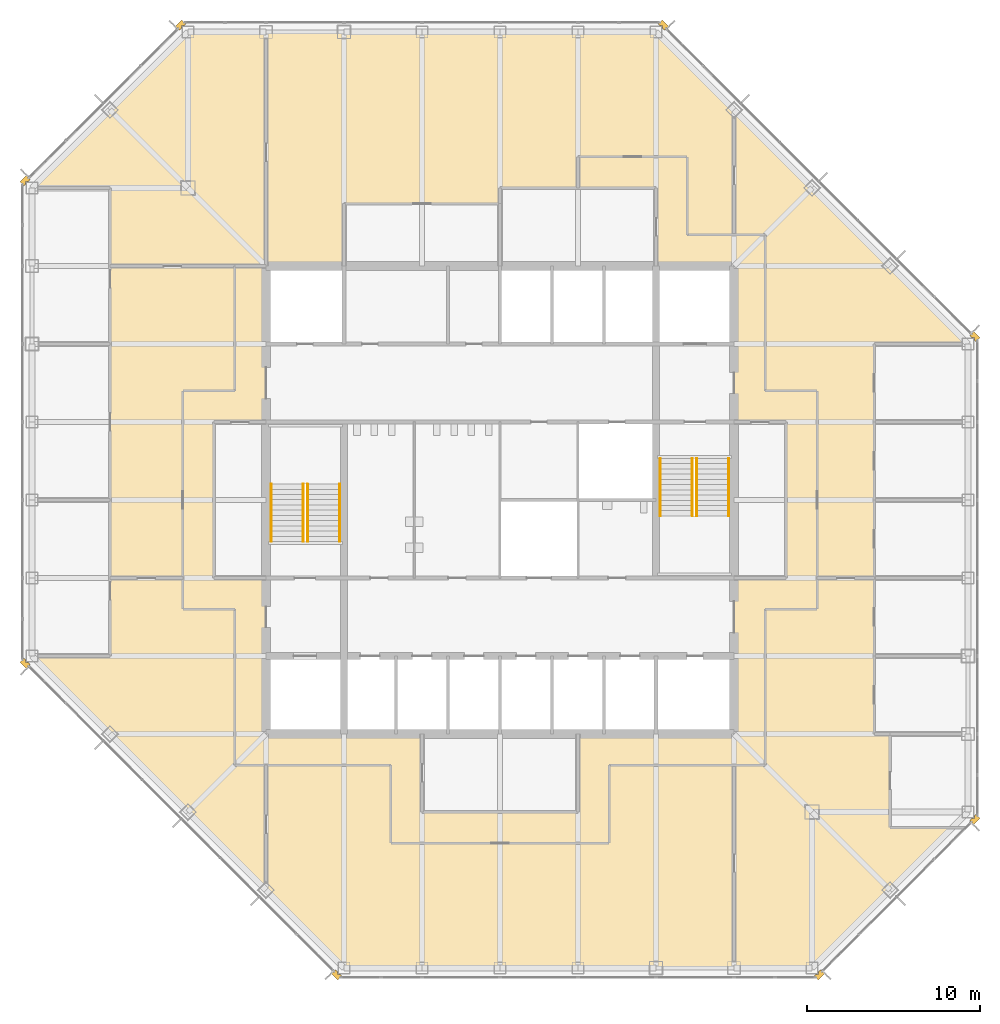
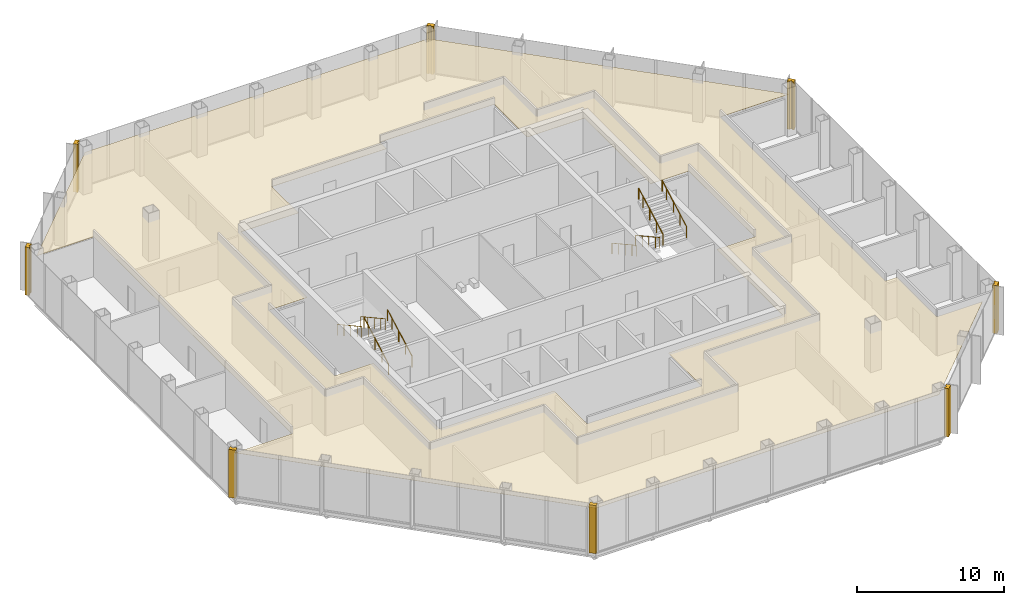
# One storey, part 12 of 13: 9 coverings, 8 railings.
"""IFC4 building model written with IfcOpenShell, lengths in metres."""

from ifc_helpers import new_model, si_unit, direction, frame, origin, origin_2d, place, context, subcontext, project, spatial, polyline, circle, outline, extrude, material, layer, layer_set, type_object, element, save


model = new_model("IFC4")

# Units and contexts
model_context = context("Model", 3, precision=1e-05, world=origin(), true_north=direction((0.0, 1.0)))
body_context = subcontext(model_context, "Body", "Model", "MODEL_VIEW")
ifc_project = project(units=[si_unit("LENGTHUNIT", "METRE"), si_unit("AREAUNIT", "SQUARE_METRE"), si_unit("VOLUMEUNIT", "CUBIC_METRE"), si_unit("PLANEANGLEUNIT", "RADIAN"), si_unit("MASSUNIT", "GRAM", prefix="KILO")], contexts=[model_context])

# Site, building, storey
site_placement = place(None, origin())
site = spatial("IfcSite", under=ifc_project, at=site_placement, CompositionType="ELEMENT")
building_placement = place(site_placement, origin())
building = spatial("IfcBuilding", under=site, at=building_placement, Name="Corais Broadcast Tower", CompositionType="ELEMENT")
storey_placement = place(building_placement, frame((0.0, 0.0, 179.60009765625)))
storey = spatial("IfcBuildingStorey", under=building, at=storey_placement, Name="L41", CompositionType="ELEMENT", Elevation=179.60009765625)

# Railings
ifc_material_1 = material(Name="Stainless steel handrail", Category="steel")
railing_type = type_object("IfcRailingType", Name="Handrail 920", PredefinedType="HANDRAIL", material=ifc_material_1)
for number, where, name in (
    (1, (17.75, 24.60009765625, 0.16650390625), "HR1 L41"),
    (2, (15.89990234375, 24.60009765625, 0.16650390625), "HR1 L41"),
):
    element("IfcRailing", number, at=place(storey_placement, frame(where)), inside=storey, type_object=railing_type, Name=name, PredefinedType="HANDRAIL", context=body_context, shape_type="SweptSolid", body=[
        extrude(circle(Radius=0.02392578125, at=origin_2d()), frame((0.0, 0.0, 0.89599609375), z_axis=(0.0, 0.875504475178, 0.483210010185), x_axis=(-1.0, 0.0, 0.0)), (0.0, 0.0, 1.0), 3.79443359375),
        extrude(circle(Radius=0.02099609375, at=origin_2d()), origin(), (0.0, 0.0, 1.0), 0.871826171875),
        extrude(circle(Radius=0.02099609375, at=origin_2d()), frame((0.0, 0.906005859375, 0.5)), (0.0, 0.0, 1.0), 0.871826171875),
        extrude(circle(Radius=0.02099609375, at=origin_2d()), frame((0.0, 1.81201171875, 1.0)), (0.0, 0.0, 1.0), 0.871826171875),
        extrude(circle(Radius=0.02099609375, at=origin_2d()), frame((0.0, 2.718017578125, 1.500244140625)), (0.0, 0.0, 1.0), 0.871826171875),
        extrude(circle(Radius=0.02099609375, at=origin_2d()), frame((0.0, 3.322021484375, 1.83349609375)), (0.0, 0.0, 1.0), 0.871826171875),
    ])
for number, where, name in (
    (3, (13.800048828125, 27.922119140625, 2.16650390625), "HR1 L41"),
    (4, (15.64990234375, 27.922119140625, 2.16650390625), "HR1 L41"),
    (5, (36.25, 29.39990234375, 0.16650390625), "HR1 L41"),
    (6, (38.10009765625, 29.39990234375, 0.16650390625), "HR1 L41"),
):
    element("IfcRailing", number, at=place(storey_placement, frame(where)), inside=storey, type_object=railing_type, Name=name, PredefinedType="HANDRAIL", context=body_context, shape_type="SweptSolid", body=[
        extrude(circle(Radius=0.02392578125, at=origin_2d()), frame((0.0, 0.0, 0.89599609375), z_axis=(0.0, -0.875504475178, 0.483210010185), x_axis=(1.0, 0.0, 0.0)), (0.0, 0.0, 1.0), 3.79443359375),
        extrude(circle(Radius=0.02099609375, at=origin_2d()), origin(), (0.0, 0.0, 1.0), 0.871826171875),
        extrude(circle(Radius=0.02099609375, at=origin_2d()), frame((0.0, -0.906005859375, 0.5)), (0.0, 0.0, 1.0), 0.871826171875),
        extrude(circle(Radius=0.02099609375, at=origin_2d()), frame((0.0, -1.81201171875, 1.0)), (0.0, 0.0, 1.0), 0.871826171875),
        extrude(circle(Radius=0.02099609375, at=origin_2d()), frame((0.0, -2.718017578125, 1.500244140625)), (0.0, 0.0, 1.0), 0.871826171875),
        extrude(circle(Radius=0.02099609375, at=origin_2d()), frame((0.0, -3.322021484375, 1.83349609375)), (0.0, 0.0, 1.0), 0.871826171875),
    ])
for number, where, name in (
    (7, (40.199951171875, 26.077880859375, 2.16650390625), "HR1 L41"),
    (8, (38.35009765625, 26.077880859375, 2.16650390625), "HR1 L41"),
):
    element("IfcRailing", number, at=place(storey_placement, frame(where)), inside=storey, type_object=railing_type, Name=name, PredefinedType="HANDRAIL", context=body_context, shape_type="SweptSolid", body=[
        extrude(circle(Radius=0.02392578125, at=origin_2d()), frame((0.0, 0.0, 0.89599609375), z_axis=(0.0, 0.875504475178, 0.483210010185), x_axis=(-1.0, 0.0, 0.0)), (0.0, 0.0, 1.0), 3.79443359375),
        extrude(circle(Radius=0.02099609375, at=origin_2d()), origin(), (0.0, 0.0, 1.0), 0.871826171875),
        extrude(circle(Radius=0.02099609375, at=origin_2d()), frame((0.0, 0.906005859375, 0.5)), (0.0, 0.0, 1.0), 0.871826171875),
        extrude(circle(Radius=0.02099609375, at=origin_2d()), frame((0.0, 1.81201171875, 1.0)), (0.0, 0.0, 1.0), 0.871826171875),
        extrude(circle(Radius=0.02099609375, at=origin_2d()), frame((0.0, 2.718017578125, 1.500244140625)), (0.0, 0.0, 1.0), 0.871826171875),
        extrude(circle(Radius=0.02099609375, at=origin_2d()), frame((0.0, 3.322021484375, 1.83349609375)), (0.0, 0.0, 1.0), 0.871826171875),
    ])

# Coverings
ifc_material_2 = material(Name="Granite stone cladding", Category="masonry")
ifc_layer_1 = layer(ifc_material_2, 0.324951171875)
ifc_layer_set_1 = layer_set([ifc_layer_1], Name="Granite stone cladding")
covering_type_1 = type_object("IfcCoveringType", Name="Stone corner pier cladding 500x325", PredefinedType="CLADDING", material=ifc_layer_set_1)
covering_1_placement = place(storey_placement, origin())
element("IfcCovering", 9, at=covering_1_placement, inside=storey, type_object=covering_type_1, Name="SP1 stone corner pier L41", PredefinedType="CLADDING", context=body_context, shape_type="SweptSolid", body=[
    extrude(outline(polyline([(17.860595703125, -0.461669921875), (17.77392578125, -0.375), (17.625, -0.375), (17.625, -0.22607421875), (17.507080078125, -0.108154296875), (17.277099609375, -0.337890625), (17.630859375, -0.69140625), (17.860595703125, -0.461669921875)])), origin(), (0.0, 0.0, 1.0), 4.0),
])
covering_2_placement = place(storey_placement, origin())
element("IfcCovering", 10, at=covering_2_placement, inside=storey, type_object=covering_type_1, Name="SP1 stone corner pier L41", PredefinedType="CLADDING", context=body_context, shape_type="SweptSolid", body=[
    extrude(outline(polyline([(-0.375, 17.77392578125), (-0.461669921875, 17.860595703125), (-0.69140625, 17.630859375), (-0.337890625, 17.277099609375), (-0.108154296875, 17.507080078125), (-0.22607421875, 17.625), (-0.375, 17.625), (-0.375, 17.77392578125)])), origin(), (0.0, 0.0, 1.0), 4.0),
])
covering_3_placement = place(storey_placement, origin())
element("IfcCovering", 11, at=covering_3_placement, inside=storey, type_object=covering_type_1, Name="SP1 stone corner pier L41", PredefinedType="CLADDING", context=body_context, shape_type="SweptSolid", body=[
    extrude(outline(polyline([(-0.461669921875, 45.139404296875), (-0.375, 45.22607421875), (-0.375, 45.375), (-0.22607421875, 45.375), (-0.108154296875, 45.492919921875), (-0.337890625, 45.722900390625), (-0.69140625, 45.369140625), (-0.461669921875, 45.139404296875)])), origin(), (0.0, 0.0, 1.0), 4.0),
])
covering_4_placement = place(storey_placement, origin())
element("IfcCovering", 12, at=covering_4_placement, inside=storey, type_object=covering_type_1, Name="SP1 stone corner pier L41", PredefinedType="CLADDING", context=body_context, shape_type="SweptSolid", body=[
    extrude(outline(polyline([(8.77392578125, 54.375), (8.860595703125, 54.461669921875), (8.630859375, 54.69140625), (8.277099609375, 54.337890625), (8.507080078125, 54.108154296875), (8.625, 54.22607421875), (8.625, 54.375), (8.77392578125, 54.375)])), origin(), (0.0, 0.0, 1.0), 4.0),
])
covering_5_placement = place(storey_placement, origin())
element("IfcCovering", 13, at=covering_5_placement, inside=storey, type_object=covering_type_1, Name="SP1 stone corner pier L41", PredefinedType="CLADDING", context=body_context, shape_type="SweptSolid", body=[
    extrude(outline(polyline([(36.139404296875, 54.461669921875), (36.22607421875, 54.375), (36.375, 54.375), (36.375, 54.22607421875), (36.492919921875, 54.108154296875), (36.722900390625, 54.337890625), (36.369140625, 54.69140625), (36.139404296875, 54.461669921875)])), origin(), (0.0, 0.0, 1.0), 4.0),
])
covering_6_placement = place(storey_placement, origin())
element("IfcCovering", 14, at=covering_6_placement, inside=storey, type_object=covering_type_1, Name="SP1 stone corner pier L41", PredefinedType="CLADDING", context=body_context, shape_type="SweptSolid", body=[
    extrude(outline(polyline([(54.375, 36.22607421875), (54.461669921875, 36.139404296875), (54.69140625, 36.369140625), (54.337890625, 36.722900390625), (54.108154296875, 36.492919921875), (54.22607421875, 36.375), (54.375, 36.375), (54.375, 36.22607421875)])), origin(), (0.0, 0.0, 1.0), 4.0),
])
covering_7_placement = place(storey_placement, origin())
element("IfcCovering", 15, at=covering_7_placement, inside=storey, type_object=covering_type_1, Name="SP1 stone corner pier L41", PredefinedType="CLADDING", context=body_context, shape_type="SweptSolid", body=[
    extrude(outline(polyline([(54.461669921875, 8.860595703125), (54.375, 8.77392578125), (54.375, 8.625), (54.22607421875, 8.625), (54.108154296875, 8.507080078125), (54.337890625, 8.277099609375), (54.69140625, 8.630859375), (54.461669921875, 8.860595703125)])), origin(), (0.0, 0.0, 1.0), 4.0),
])
covering_8_placement = place(storey_placement, origin())
element("IfcCovering", 16, at=covering_8_placement, inside=storey, type_object=covering_type_1, Name="SP1 stone corner pier L41", PredefinedType="CLADDING", context=body_context, shape_type="SweptSolid", body=[
    extrude(outline(polyline([(45.22607421875, -0.375), (45.139404296875, -0.461669921875), (45.369140625, -0.69140625), (45.722900390625, -0.337890625), (45.492919921875, -0.108154296875), (45.375, -0.22607421875), (45.375, -0.375), (45.22607421875, -0.375)])), origin(), (0.0, 0.0, 1.0), 4.0),
])
ifc_material_3 = material(Name="Mineral fibre ceiling tile", Category="mineral")
ifc_layer_2 = layer(ifc_material_3, 0.02001953125)
ifc_layer_set_2 = layer_set([ifc_layer_2], Name="Mineral fibre ceiling tile")
covering_type_2 = type_object("IfcCoveringType", Name="Suspended ceiling", PredefinedType="CEILING", material=ifc_layer_set_2)
covering_9_placement = place(storey_placement, frame((0.0, 0.0, 3.219970703125)))
element("IfcCovering", 17, at=covering_9_placement, inside=storey, type_object=covering_type_2, Name="CE1 ceiling L41", PredefinedType="CEILING", context=body_context, shape_type="SweptSolid", body=[
    extrude(outline(polyline([(48.60009765625, 13.5), (49.5, 13.5), (49.5, 8.10009765625), (53.10009765625, 8.10009765625), (45.0, 0.0), (18.0, 0.0), (13.501708984375, 4.498291015625), (13.50048828125, 4.49951171875), (13.499755859375, 4.500244140625), (0.0, 18.0), (4.5, 18.0), (4.5, 45.0), (0.0, 45.0), (9.0, 54.0), (36.0, 54.0), (54.0, 36.0), (48.60009765625, 36.0), (48.60009765625, 13.5)]), holes=[polyline([(13.5, 31.5), (10.5, 31.5), (10.5, 22.5), (13.5, 22.5), (13.5, 13.5), (22.5, 13.5), (22.5, 9.0), (31.5, 9.0), (31.5, 13.5), (40.5, 13.5), (40.5, 22.5), (43.5, 22.5), (43.5, 31.5), (40.5, 31.5), (40.5, 40.5), (36.0, 40.5), (36.0, 45.0), (27.0, 45.0), (27.0, 44.10009765625), (18.0, 44.10009765625), (18.0, 40.5), (13.5, 40.5), (13.5, 31.5)])]), origin(), (0.0, 0.0, 1.0), 0.02001953125),
])

save(model, "model.ifc")
